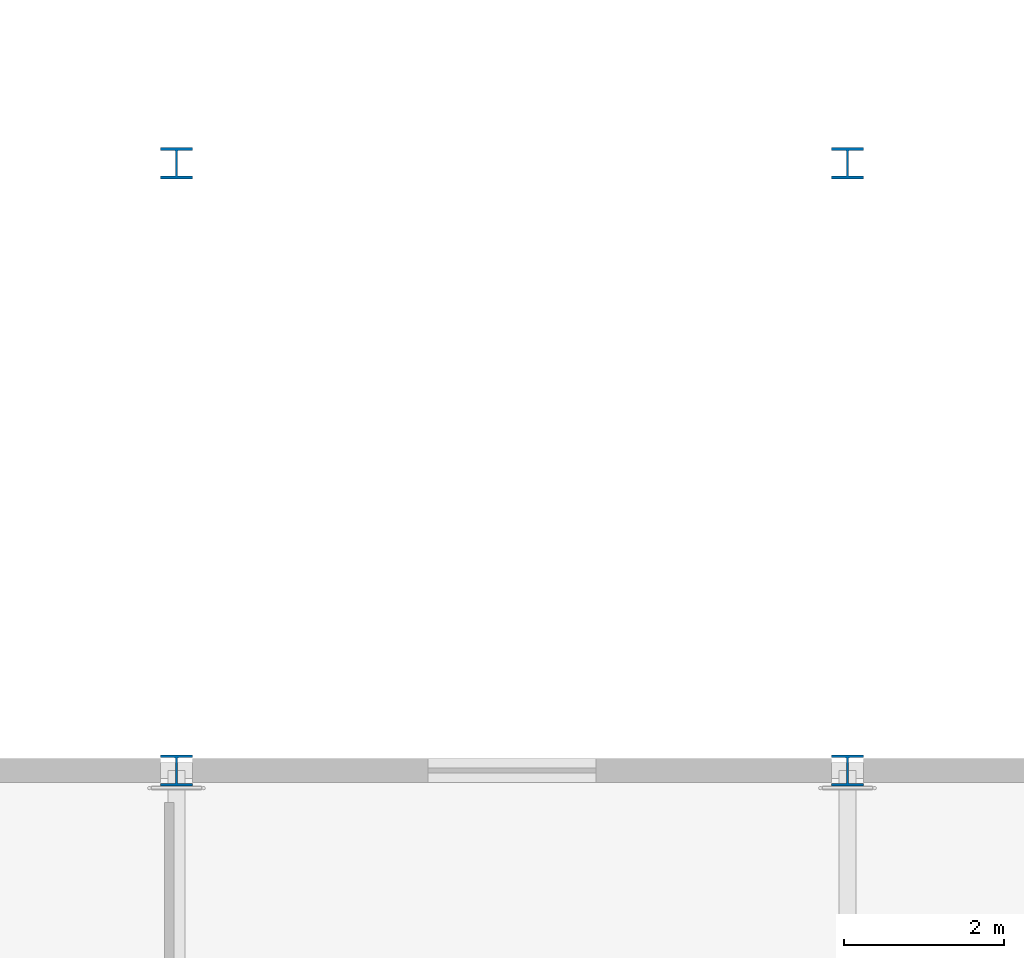
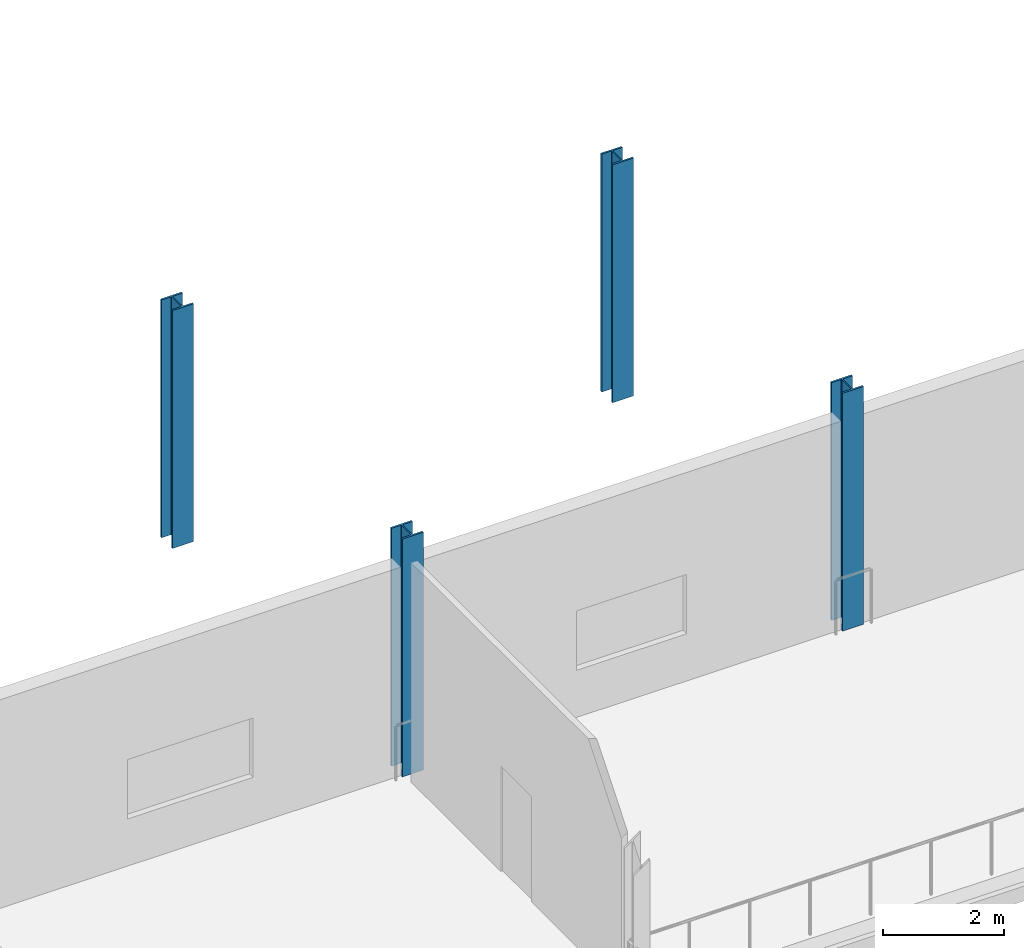
# One storey, part 6 of 51: 4 columns.
"""IFC4 building model written with IfcOpenShell, lengths in metres."""

from ifc_helpers import new_model, si_unit, direction, frame, origin, origin_2d, place, context, subcontext, project, spatial, i_section, extrude, material, material_profile, profile_set, type_object, element, save


model = new_model("IFC4")

# Units and contexts
model_context = context("Model", 3, precision=1e-05, world=origin(), true_north=direction((0.0, 1.0)))
body_context = subcontext(model_context, "Body", "Model", "MODEL_VIEW")
ifc_project = project(units=[si_unit("LENGTHUNIT", "METRE"), si_unit("AREAUNIT", "SQUARE_METRE"), si_unit("VOLUMEUNIT", "CUBIC_METRE"), si_unit("PLANEANGLEUNIT", "RADIAN"), si_unit("MASSUNIT", "GRAM", prefix="KILO")], contexts=[model_context])

# Site, building, storey
site_placement = place(None, origin())
site = spatial("IfcSite", under=ifc_project, at=site_placement, CompositionType="ELEMENT")
building_placement = place(site_placement, origin())
building = spatial("IfcBuilding", under=site, at=building_placement, Name="Zuvorla Pavilion Media Centre", CompositionType="ELEMENT")
storey_placement = place(building_placement, frame((0.0, 0.0, 4.800048828125)))
storey = spatial("IfcBuildingStorey", under=building, at=storey_placement, Name="L01", CompositionType="ELEMENT", Elevation=4.800048828125)

# Columns
ifc_material = material(Name="Steel S355", Category="steel")
ifc_material_profile = material_profile(ifc_material, i_section(OverallWidth=0.39892578125, OverallDepth=0.3935546875, WebThickness=0.022705078125, FlangeThickness=0.03662109375, FilletRadius=0.01513671875, at=origin_2d()), Name="UC 356x406x287")
ifc_profile_set = profile_set([ifc_material_profile], Name="Steel S355")
column_type = type_object("IfcColumnType", Name="COL-UC356H", PredefinedType="COLUMN", material=ifc_profile_set)
for number, where, z_axis, x_axis, name in (
    (1, (125.60009765625, 44.0, 0.0), (0.0, 0.0, 1.0), (1.0, 0.0, 0.0), "L01 column C08 550"),
    (2, (134.0, 44.0, 0.0), (0.0, 0.0, 1.0), (1.0, 0.0, 0.0), "L01 column C08 555"),
    (3, (125.60009765625, 51.60009765625, 0.0), (0.0, 0.0, 1.0), (1.0, 0.0, 0.0), "L01 column C08 640"),
    (4, (134.0, 51.60009765625, 0.0), (0.0, 0.0, 1.0), (1.0, 0.0, 0.0), "L01 column C08 645"),
):
    element("IfcColumn", number, at=place(storey_placement, frame(where, z_axis=z_axis, x_axis=x_axis)), inside=storey, type_object=column_type, Name=name, PredefinedType="COLUMN", context=body_context, shape_type="SweptSolid", body=[
        extrude(i_section(OverallWidth=0.39892578125, OverallDepth=0.3935546875, WebThickness=0.022705078125, FlangeThickness=0.03662109375, FilletRadius=0.01513671875, at=origin_2d()), origin(), (0.0, 0.0, 1.0), 4.800048828125),
    ])

save(model, "model.ifc")
